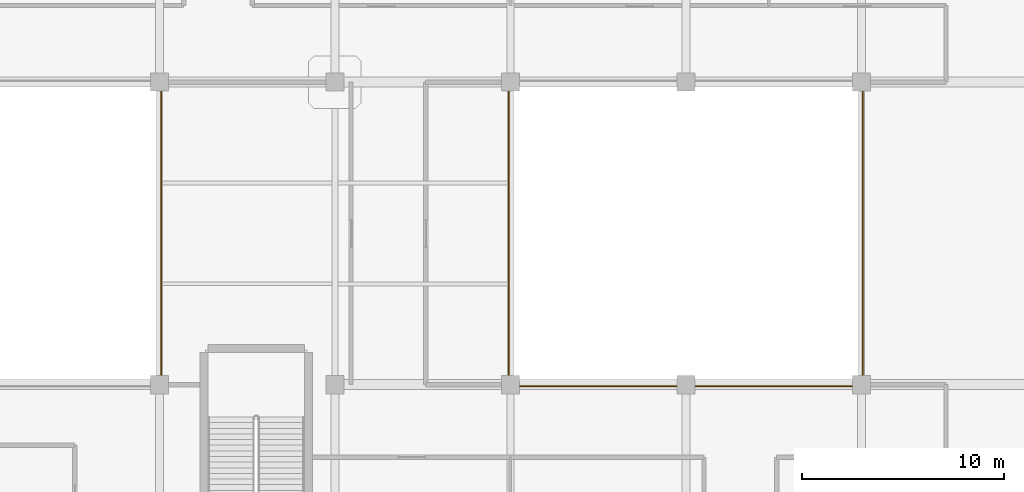
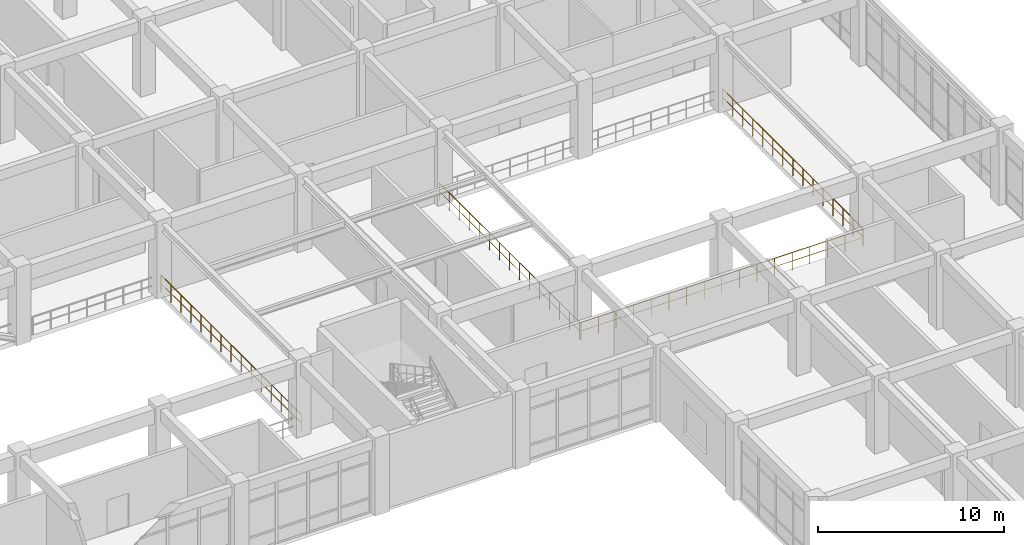
# One storey, part 115 of 120: 4 railings.
"""IFC4 building model written with IfcOpenShell, lengths in metres."""

import ifcopenshell
import ifcopenshell.guid

model = None  # the IFC model being written
_history = None  # IfcOwnerHistory: only IFC2X3 demands one
_inside = {}  # id of a spatial element -> (the spatial element, [elements in it])
_under = {}  # id of a project, library or spatial element -> (it, [spatial elements below it])
_declared = {}  # id of a project -> (the project, [libraries it declares])
_typed = {}  # id of a type object -> (the type object, [elements of that type])
_made_of = {}  # id of a material, layer set ... -> (it, [elements and type objects made of it])


def new_model(schema):
    """Start an empty IFC model of exactly this schema.

    Asked for "IFC4X3", IfcOpenShell would pick the latest addendum, in which some entities
    have other attributes; the version numbers below select the first issue.
    IFC2X3 requires an IfcOwnerHistory on every rooted entity: one is made here for all.
    """
    global model, _history
    if schema == "IFC4X3":
        model = ifcopenshell.file(schema_version=(4, 3, 0, 0))
    else:
        model = ifcopenshell.file(schema=schema)
    _inside.clear()
    _under.clear()
    _declared.clear()
    _typed.clear()
    _made_of.clear()
    _history = None
    if model.schema == "IFC2X3":
        org = make("IfcOrganization", Name="unknown")
        user = make(
            "IfcPersonAndOrganization",
            ThePerson=make("IfcPerson", FamilyName="unknown"),
            TheOrganization=org,
        )
        app = make(
            "IfcApplication",
            ApplicationDeveloper=org,
            Version="unknown",
            ApplicationFullName="unknown",
            ApplicationIdentifier="unknown",
        )
        _history = make(
            "IfcOwnerHistory",
            OwningUser=user,
            OwningApplication=app,
            ChangeAction="ADDED",
            CreationDate=0,
        )
    return model


def make(cls, **values):
    """One entity of the class cls with the attributes given. An attribute that is None is left unset."""
    return model.create_entity(
        cls, **{name: value for name, value in values.items() if value is not None}
    )


def rooted(cls, **values):
    """An entity with a GlobalId (a new one), such as an element, a storey or a relation."""
    return make(cls, GlobalId=ifcopenshell.guid.new(), OwnerHistory=_history, **values)


def si_unit(unit_type, name, prefix=None):
    """IfcSIUnit, for example si_unit("LENGTHUNIT", "METRE", prefix="MILLI")."""
    return make("IfcSIUnit", UnitType=unit_type, Prefix=prefix, Name=name)


def derived_unit(unit_type, elements):
    """IfcDerivedUnit: a product of units, each with its exponent."""
    return make(
        "IfcDerivedUnit",
        Elements=[
            make("IfcDerivedUnitElement", Unit=unit, Exponent=power)
            for unit, power in elements
        ],
        UnitType=unit_type,
    )


def assignment(units):
    """IfcUnitAssignment: the units of a project."""
    return None if units is None else make("IfcUnitAssignment", Units=units)


def point(xyz):
    """IfcCartesianPoint."""
    return None if xyz is None else make("IfcCartesianPoint", Coordinates=xyz)


def direction(xyz):
    """IfcDirection."""
    return None if xyz is None else make("IfcDirection", DirectionRatios=xyz)


def frame(location, z_axis=None, x_axis=None):
    """IfcAxis2Placement3D, a coordinate frame: its origin and axes. An axis left out is left unset."""
    return make(
        "IfcAxis2Placement3D",
        Location=point(location),
        Axis=direction(z_axis),
        RefDirection=direction(x_axis),
    )


def frame_2d(location, x_axis=None):
    """IfcAxis2Placement2D, a coordinate frame in the plane: its origin and x axis."""
    return make(
        "IfcAxis2Placement2D", Location=point(location), RefDirection=direction(x_axis)
    )


def origin():
    """The frame at (0, 0, 0) with its axes left unset."""
    return frame((0.0, 0.0, 0.0))


def origin_2d():
    """The frame at (0, 0) in the plane with its x axis left unset."""
    return frame_2d((0.0, 0.0))


def place(relative_to, where):
    """IfcLocalPlacement: puts the frame where relative to a parent placement (None: the world)."""
    return make(
        "IfcLocalPlacement", PlacementRelTo=relative_to, RelativePlacement=where
    )


def context(
    kind, dimensions, precision=None, world=None, true_north=None, identifier=None
):
    """IfcGeometricRepresentationContext, for example the 3D "Model" context."""
    return make(
        "IfcGeometricRepresentationContext",
        ContextIdentifier=identifier,
        ContextType=kind,
        CoordinateSpaceDimension=dimensions,
        Precision=precision,
        WorldCoordinateSystem=world,
        TrueNorth=true_north,
    )


def subcontext(parent, identifier, kind, view, scale=None):
    """IfcGeometricRepresentationSubContext, for example "Body" below "Model"."""
    return make(
        "IfcGeometricRepresentationSubContext",
        ContextIdentifier=identifier,
        ContextType=kind,
        ParentContext=parent,
        TargetScale=scale,
        TargetView=view,
    )


def project(units=None, contexts=None):
    """IfcProject with its units and contexts."""
    return rooted(
        "IfcProject",
        Name="project",
        RepresentationContexts=contexts,
        UnitsInContext=assignment(units),
    )


def spatial(cls, under=None, at=None, **own):
    """A site, building, storey or space (cls), placed at a placement, below another one or the project."""
    s = rooted(cls, ObjectPlacement=at, **own)
    if under is not None:
        _under.setdefault(under.id(), (under, []))[1].append(s)
    return s


def profile(cls, at=None, kind="AREA", **sizes):
    """A parametric profile (cls). Its sizes go by their IFC names, for example OverallWidth=200.0."""
    return make(cls, ProfileType=kind, Position=at, **sizes)


def circle(**sizes):
    """IfcCircleProfileDef."""
    return profile("IfcCircleProfileDef", **sizes)


def extrude(swept, where, along, depth):
    """IfcExtrudedAreaSolid: the profile swept, set in the frame where, extruded along a direction by depth."""
    return make(
        "IfcExtrudedAreaSolid",
        SweptArea=swept,
        Position=where,
        ExtrudedDirection=direction(along),
        Depth=depth,
    )


def shape(context_of_items, identifier, shape_type, items):
    """IfcShapeRepresentation: the items that make up one representation, for example the "Body"."""
    return make(
        "IfcShapeRepresentation",
        ContextOfItems=context_of_items,
        RepresentationIdentifier=identifier,
        RepresentationType=shape_type,
        Items=items,
    )


def material(Name=None, Category=None):
    """IfcMaterial."""
    return make("IfcMaterial", Name=Name, Category=Category)


def made_of(thing, what):
    """Note that an element or type object is made of a material, layer set ...; save() writes the relation."""
    if what is not None:
        _made_of.setdefault(what.id(), (what, []))[1].append(thing)
    return thing


def type_object(cls, material=None, **own):
    """A type object (cls), such as IfcWallType, which elements share."""
    return made_of(rooted(cls, **own), material)


def element(
    cls,
    number,
    at=None,
    inside=None,
    cuts=None,
    type_object=None,
    material=None,
    context=None,
    identifier="Body",
    shape_type=None,
    held_by="IfcProductDefinitionShape",
    body=None,
    shapes=None,
    **own,
):
    """One element of the class cls, such as IfcWall. Its Tag is "e" and its number.

    at: its placement. inside: the storey or other place that contains it. cuts: it is an
    opening in that element (IfcRelVoidsElement). A single representation is given by context,
    identifier, shape_type and body (its items); several are given by shapes. held_by: the class
    of the entity that holds the representations. save() writes the other relations.
    """
    e = rooted(cls, Tag="e%d" % number, ObjectPlacement=at, **own)
    if body is not None:
        shapes = [shape(context, identifier, shape_type, body)]
    if shapes is not None:
        e.Representation = make(held_by, Representations=shapes)
    if inside is not None:
        _inside.setdefault(inside.id(), (inside, []))[1].append(e)
    if cuts is not None:
        rooted(
            "IfcRelVoidsElement", RelatingBuildingElement=cuts, RelatedOpeningElement=e
        )
    if type_object is not None:
        _typed.setdefault(type_object.id(), (type_object, []))[1].append(e)
    return made_of(e, material)


def aggregate(whole, parts):
    """IfcRelAggregates: a whole, such as a stair, and the parts it consists of."""
    return rooted("IfcRelAggregates", RelatingObject=whole, RelatedObjects=parts)


def save(model, path):
    """Write the relations noted so far, then the file.

    IfcRelAggregates (storeys below a building ...), IfcRelContainedInSpatialStructure (elements
    in a storey), IfcRelDefinesByType, IfcRelAssociatesMaterial and IfcRelDeclares: one each for
    every whole, place, type object, material and project.
    """
    for whole, parts in _under.values():
        aggregate(whole, parts)
    for where, things in _inside.values():
        rooted(
            "IfcRelContainedInSpatialStructure",
            RelatedElements=things,
            RelatingStructure=where,
        )
    for kind, things in _typed.values():
        rooted("IfcRelDefinesByType", RelatedObjects=things, RelatingType=kind)
    for what, things in _made_of.values():
        rooted("IfcRelAssociatesMaterial", RelatedObjects=things, RelatingMaterial=what)
    for by, libraries in _declared.values():
        rooted("IfcRelDeclares", RelatingContext=by, RelatedDefinitions=libraries)
    model.write(path)


model = new_model("IFC4")

# Units and contexts
model_context = context("Model", 3, precision=1e-05, world=origin(), true_north=direction((0.0, 1.0)))
body_context = subcontext(model_context, "Body", "Model", "MODEL_VIEW")
ifc_project = project(units=[si_unit("LENGTHUNIT", "METRE"), si_unit("AREAUNIT", "SQUARE_METRE"), si_unit("VOLUMEUNIT", "CUBIC_METRE"), si_unit("PLANEANGLEUNIT", "RADIAN"), si_unit("MASSUNIT", "GRAM", prefix="KILO"), derived_unit("THERMALTRANSMITTANCEUNIT", [(si_unit("MASSUNIT", "GRAM", prefix="KILO"), 1), (si_unit("TIMEUNIT", "SECOND"), -3), (si_unit("THERMODYNAMICTEMPERATUREUNIT", "KELVIN"), -1)])], contexts=[model_context])

# Site, building, storey
site_placement = place(None, origin())
site = spatial("IfcSite", under=ifc_project, at=site_placement, CompositionType="ELEMENT")
building_placement = place(site_placement, origin())
building = spatial("IfcBuilding", under=site, at=building_placement, Name="Qinzheling Arcade Emporium", CompositionType="ELEMENT")
storey_placement = place(building_placement, frame((0.0, 0.0, 11.39990234375)))
storey = spatial("IfcBuildingStorey", under=building, at=storey_placement, Name="L03", CompositionType="ELEMENT", Elevation=11.39990234375)

# Railings
ifc_material = material(Name="Galvanised powder-coated tubular steel", Category="steel")
railing_type = type_object("IfcRailingType", Name="Painted Steel Stairwell Guard Railing 1150", PredefinedType="GUARDRAIL", material=ifc_material)
railing_1_placement = place(storey_placement, frame((87.080078125, 50.3701171875, 0.0)))
element("IfcRailing", 1, at=railing_1_placement, inside=storey, type_object=railing_type, Name="Atrium Void Guard L03 E", PredefinedType="GUARDRAIL", context=body_context, shape_type="SweptSolid", body=[
    extrude(circle(Radius=0.02392578125, at=origin_2d()), frame((0.0, 0.0, 1.1259765625), z_axis=(0.0, 1.0, 0.0), x_axis=(-1.0, 0.0, 0.0)), (0.0, 0.0, 1.0), 15.059814453125),
    extrude(circle(Radius=0.01611328125, at=origin_2d()), frame((0.0, 0.0, 0.574951171875), z_axis=(0.0, 1.0, 0.0), x_axis=(-1.0, 0.0, 0.0)), (0.0, 0.0, 1.0), 15.059814453125),
    extrude(circle(Radius=0.02099609375, at=origin_2d()), origin(), (0.0, 0.0, 1.0), 1.101806640625),
    extrude(circle(Radius=0.02099609375, at=origin_2d()), frame((0.0, 1.07568359375, 0.0)), (0.0, 0.0, 1.0), 1.101806640625),
    extrude(circle(Radius=0.02099609375, at=origin_2d()), frame((0.0, 2.1513671875, 0.0)), (0.0, 0.0, 1.0), 1.101806640625),
    extrude(circle(Radius=0.02099609375, at=origin_2d()), frame((0.0, 3.22705078125, 0.0)), (0.0, 0.0, 1.0), 1.101806640625),
    extrude(circle(Radius=0.02099609375, at=origin_2d()), frame((0.0, 4.302734375, 0.0)), (0.0, 0.0, 1.0), 1.101806640625),
    extrude(circle(Radius=0.02099609375, at=origin_2d()), frame((0.0, 5.37841796875, 0.0)), (0.0, 0.0, 1.0), 1.101806640625),
    extrude(circle(Radius=0.02099609375, at=origin_2d()), frame((0.0, 6.4541015625, 0.0)), (0.0, 0.0, 1.0), 1.101806640625),
    extrude(circle(Radius=0.02099609375, at=origin_2d()), frame((0.0, 7.52978515625, 0.0)), (0.0, 0.0, 1.0), 1.101806640625),
    extrude(circle(Radius=0.02099609375, at=origin_2d()), frame((0.0, 8.605712890625, 0.0)), (0.0, 0.0, 1.0), 1.101806640625),
    extrude(circle(Radius=0.02099609375, at=origin_2d()), frame((0.0, 9.681396484375, 0.0)), (0.0, 0.0, 1.0), 1.101806640625),
    extrude(circle(Radius=0.02099609375, at=origin_2d()), frame((0.0, 10.757080078125, 0.0)), (0.0, 0.0, 1.0), 1.101806640625),
    extrude(circle(Radius=0.02099609375, at=origin_2d()), frame((0.0, 11.832763671875, 0.0)), (0.0, 0.0, 1.0), 1.101806640625),
    extrude(circle(Radius=0.02099609375, at=origin_2d()), frame((0.0, 12.908447265625, 0.0)), (0.0, 0.0, 1.0), 1.101806640625),
    extrude(circle(Radius=0.02099609375, at=origin_2d()), frame((0.0, 13.984130859375, 0.0)), (0.0, 0.0, 1.0), 1.101806640625),
    extrude(circle(Radius=0.02099609375, at=origin_2d()), frame((0.0, 15.059814453125, 0.0)), (0.0, 0.0, 1.0), 1.101806640625),
])
railing_2_placement = place(storey_placement, frame((104.3701171875, 50.320068359375, 0.0)))
element("IfcRailing", 2, at=railing_2_placement, inside=storey, type_object=railing_type, Name="Arcade Void Guard L03 S", PredefinedType="GUARDRAIL", context=body_context, shape_type="SweptSolid", body=[
    extrude(circle(Radius=0.02392578125, at=origin_2d()), frame((0.0, 0.0, 1.1259765625), z_axis=(1.0, 0.0, 0.0), x_axis=(0.0, 1.0, 0.0)), (0.0, 0.0, 1.0), 17.4599609375),
    extrude(circle(Radius=0.01611328125, at=origin_2d()), frame((0.0, 0.0, 0.574951171875), z_axis=(1.0, 0.0, 0.0), x_axis=(0.0, 1.0, 0.0)), (0.0, 0.0, 1.0), 17.4599609375),
    extrude(circle(Radius=0.02099609375, at=origin_2d()), origin(), (0.0, 0.0, 1.0), 1.101806640625),
    extrude(circle(Radius=0.02099609375, at=origin_2d()), frame((1.09130859375, 0.0, 0.0)), (0.0, 0.0, 1.0), 1.101806640625),
    extrude(circle(Radius=0.02099609375, at=origin_2d()), frame((2.1826171875, 0.0, 0.0)), (0.0, 0.0, 1.0), 1.101806640625),
    extrude(circle(Radius=0.02099609375, at=origin_2d()), frame((3.273681640625, 0.0, 0.0)), (0.0, 0.0, 1.0), 1.101806640625),
    extrude(circle(Radius=0.02099609375, at=origin_2d()), frame((4.364990234375, 0.0, 0.0)), (0.0, 0.0, 1.0), 1.101806640625),
    extrude(circle(Radius=0.02099609375, at=origin_2d()), frame((5.456298828125, 0.0, 0.0)), (0.0, 0.0, 1.0), 1.101806640625),
    extrude(circle(Radius=0.02099609375, at=origin_2d()), frame((6.54736328125, 0.0, 0.0)), (0.0, 0.0, 1.0), 1.101806640625),
    extrude(circle(Radius=0.02099609375, at=origin_2d()), frame((7.638671875, 0.0, 0.0)), (0.0, 0.0, 1.0), 1.101806640625),
    extrude(circle(Radius=0.02099609375, at=origin_2d()), frame((8.72998046875, 0.0, 0.0)), (0.0, 0.0, 1.0), 1.101806640625),
    extrude(circle(Radius=0.02099609375, at=origin_2d()), frame((9.8212890625, 0.0, 0.0)), (0.0, 0.0, 1.0), 1.101806640625),
    extrude(circle(Radius=0.02099609375, at=origin_2d()), frame((10.91259765625, 0.0, 0.0)), (0.0, 0.0, 1.0), 1.101806640625),
    extrude(circle(Radius=0.02099609375, at=origin_2d()), frame((12.003662109375, 0.0, 0.0)), (0.0, 0.0, 1.0), 1.101806640625),
    extrude(circle(Radius=0.02099609375, at=origin_2d()), frame((13.094970703125, 0.0, 0.0)), (0.0, 0.0, 1.0), 1.101806640625),
    extrude(circle(Radius=0.02099609375, at=origin_2d()), frame((14.186279296875, 0.0, 0.0)), (0.0, 0.0, 1.0), 1.101806640625),
    extrude(circle(Radius=0.02099609375, at=origin_2d()), frame((15.27734375, 0.0, 0.0)), (0.0, 0.0, 1.0), 1.101806640625),
    extrude(circle(Radius=0.02099609375, at=origin_2d()), frame((16.36865234375, 0.0, 0.0)), (0.0, 0.0, 1.0), 1.101806640625),
    extrude(circle(Radius=0.02099609375, at=origin_2d()), frame((17.4599609375, 0.0, 0.0)), (0.0, 0.0, 1.0), 1.101806640625),
])
railing_3_placement = place(storey_placement, frame((104.320068359375, 50.3701171875, 0.0)))
element("IfcRailing", 3, at=railing_3_placement, inside=storey, type_object=railing_type, Name="Arcade Void Guard L03 W", PredefinedType="GUARDRAIL", context=body_context, shape_type="SweptSolid", body=[
    extrude(circle(Radius=0.02392578125, at=origin_2d()), frame((0.0, 0.0, 1.1259765625), z_axis=(0.0, 1.0, 0.0), x_axis=(-1.0, 0.0, 0.0)), (0.0, 0.0, 1.0), 15.059814453125),
    extrude(circle(Radius=0.01611328125, at=origin_2d()), frame((0.0, 0.0, 0.574951171875), z_axis=(0.0, 1.0, 0.0), x_axis=(-1.0, 0.0, 0.0)), (0.0, 0.0, 1.0), 15.059814453125),
    extrude(circle(Radius=0.02099609375, at=origin_2d()), origin(), (0.0, 0.0, 1.0), 1.101806640625),
    extrude(circle(Radius=0.02099609375, at=origin_2d()), frame((0.0, 1.07568359375, 0.0)), (0.0, 0.0, 1.0), 1.101806640625),
    extrude(circle(Radius=0.02099609375, at=origin_2d()), frame((0.0, 2.1513671875, 0.0)), (0.0, 0.0, 1.0), 1.101806640625),
    extrude(circle(Radius=0.02099609375, at=origin_2d()), frame((0.0, 3.22705078125, 0.0)), (0.0, 0.0, 1.0), 1.101806640625),
    extrude(circle(Radius=0.02099609375, at=origin_2d()), frame((0.0, 4.302734375, 0.0)), (0.0, 0.0, 1.0), 1.101806640625),
    extrude(circle(Radius=0.02099609375, at=origin_2d()), frame((0.0, 5.37841796875, 0.0)), (0.0, 0.0, 1.0), 1.101806640625),
    extrude(circle(Radius=0.02099609375, at=origin_2d()), frame((0.0, 6.4541015625, 0.0)), (0.0, 0.0, 1.0), 1.101806640625),
    extrude(circle(Radius=0.02099609375, at=origin_2d()), frame((0.0, 7.52978515625, 0.0)), (0.0, 0.0, 1.0), 1.101806640625),
    extrude(circle(Radius=0.02099609375, at=origin_2d()), frame((0.0, 8.605712890625, 0.0)), (0.0, 0.0, 1.0), 1.101806640625),
    extrude(circle(Radius=0.02099609375, at=origin_2d()), frame((0.0, 9.681396484375, 0.0)), (0.0, 0.0, 1.0), 1.101806640625),
    extrude(circle(Radius=0.02099609375, at=origin_2d()), frame((0.0, 10.757080078125, 0.0)), (0.0, 0.0, 1.0), 1.101806640625),
    extrude(circle(Radius=0.02099609375, at=origin_2d()), frame((0.0, 11.832763671875, 0.0)), (0.0, 0.0, 1.0), 1.101806640625),
    extrude(circle(Radius=0.02099609375, at=origin_2d()), frame((0.0, 12.908447265625, 0.0)), (0.0, 0.0, 1.0), 1.101806640625),
    extrude(circle(Radius=0.02099609375, at=origin_2d()), frame((0.0, 13.984130859375, 0.0)), (0.0, 0.0, 1.0), 1.101806640625),
    extrude(circle(Radius=0.02099609375, at=origin_2d()), frame((0.0, 15.059814453125, 0.0)), (0.0, 0.0, 1.0), 1.101806640625),
])
railing_4_placement = place(storey_placement, frame((121.8798828125, 50.3701171875, 0.0)))
element("IfcRailing", 4, at=railing_4_placement, inside=storey, type_object=railing_type, Name="Arcade Void Guard L03 E", PredefinedType="GUARDRAIL", context=body_context, shape_type="SweptSolid", body=[
    extrude(circle(Radius=0.02392578125, at=origin_2d()), frame((0.0, 0.0, 1.1259765625), z_axis=(0.0, 1.0, 0.0), x_axis=(-1.0, 0.0, 0.0)), (0.0, 0.0, 1.0), 15.059814453125),
    extrude(circle(Radius=0.01611328125, at=origin_2d()), frame((0.0, 0.0, 0.574951171875), z_axis=(0.0, 1.0, 0.0), x_axis=(-1.0, 0.0, 0.0)), (0.0, 0.0, 1.0), 15.059814453125),
    extrude(circle(Radius=0.02099609375, at=origin_2d()), origin(), (0.0, 0.0, 1.0), 1.101806640625),
    extrude(circle(Radius=0.02099609375, at=origin_2d()), frame((0.0, 1.07568359375, 0.0)), (0.0, 0.0, 1.0), 1.101806640625),
    extrude(circle(Radius=0.02099609375, at=origin_2d()), frame((0.0, 2.1513671875, 0.0)), (0.0, 0.0, 1.0), 1.101806640625),
    extrude(circle(Radius=0.02099609375, at=origin_2d()), frame((0.0, 3.22705078125, 0.0)), (0.0, 0.0, 1.0), 1.101806640625),
    extrude(circle(Radius=0.02099609375, at=origin_2d()), frame((0.0, 4.302734375, 0.0)), (0.0, 0.0, 1.0), 1.101806640625),
    extrude(circle(Radius=0.02099609375, at=origin_2d()), frame((0.0, 5.37841796875, 0.0)), (0.0, 0.0, 1.0), 1.101806640625),
    extrude(circle(Radius=0.02099609375, at=origin_2d()), frame((0.0, 6.4541015625, 0.0)), (0.0, 0.0, 1.0), 1.101806640625),
    extrude(circle(Radius=0.02099609375, at=origin_2d()), frame((0.0, 7.52978515625, 0.0)), (0.0, 0.0, 1.0), 1.101806640625),
    extrude(circle(Radius=0.02099609375, at=origin_2d()), frame((0.0, 8.605712890625, 0.0)), (0.0, 0.0, 1.0), 1.101806640625),
    extrude(circle(Radius=0.02099609375, at=origin_2d()), frame((0.0, 9.681396484375, 0.0)), (0.0, 0.0, 1.0), 1.101806640625),
    extrude(circle(Radius=0.02099609375, at=origin_2d()), frame((0.0, 10.757080078125, 0.0)), (0.0, 0.0, 1.0), 1.101806640625),
    extrude(circle(Radius=0.02099609375, at=origin_2d()), frame((0.0, 11.832763671875, 0.0)), (0.0, 0.0, 1.0), 1.101806640625),
    extrude(circle(Radius=0.02099609375, at=origin_2d()), frame((0.0, 12.908447265625, 0.0)), (0.0, 0.0, 1.0), 1.101806640625),
    extrude(circle(Radius=0.02099609375, at=origin_2d()), frame((0.0, 13.984130859375, 0.0)), (0.0, 0.0, 1.0), 1.101806640625),
    extrude(circle(Radius=0.02099609375, at=origin_2d()), frame((0.0, 15.059814453125, 0.0)), (0.0, 0.0, 1.0), 1.101806640625),
])

save(model, "model.ifc")
